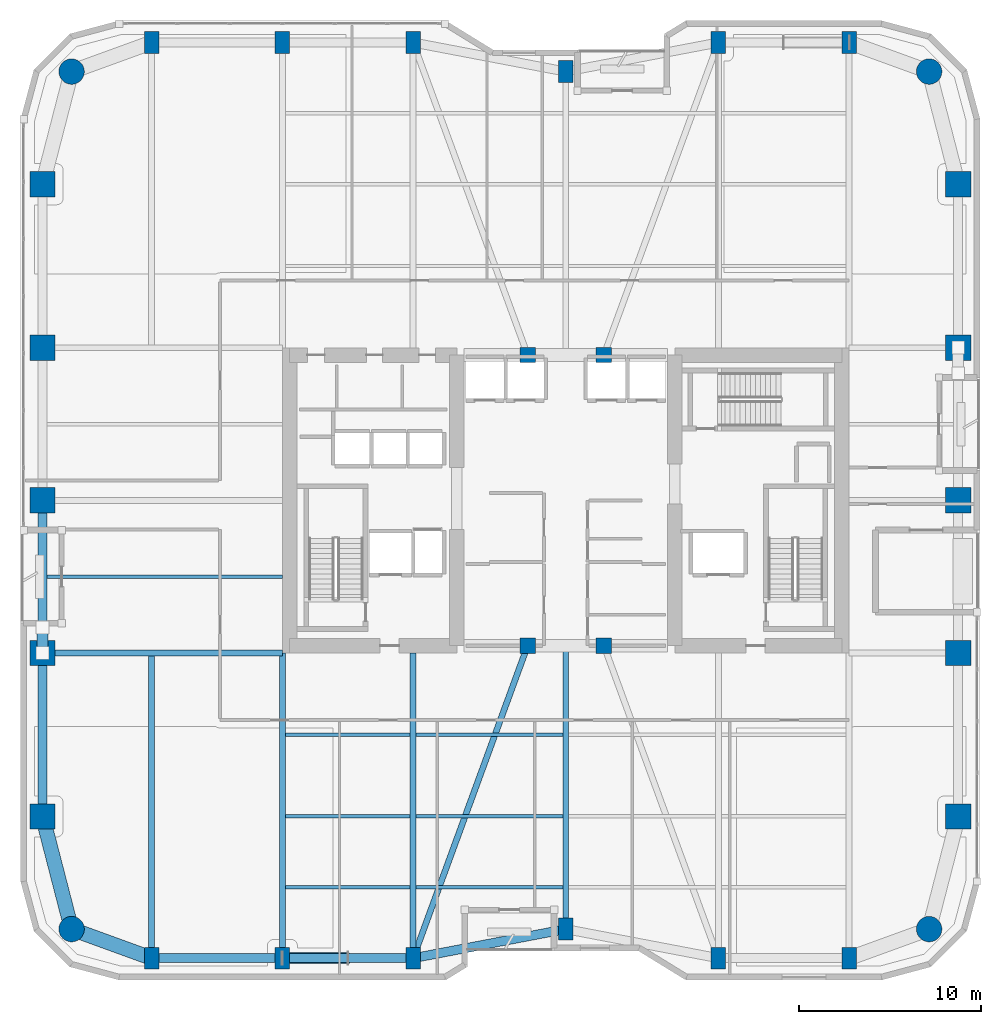
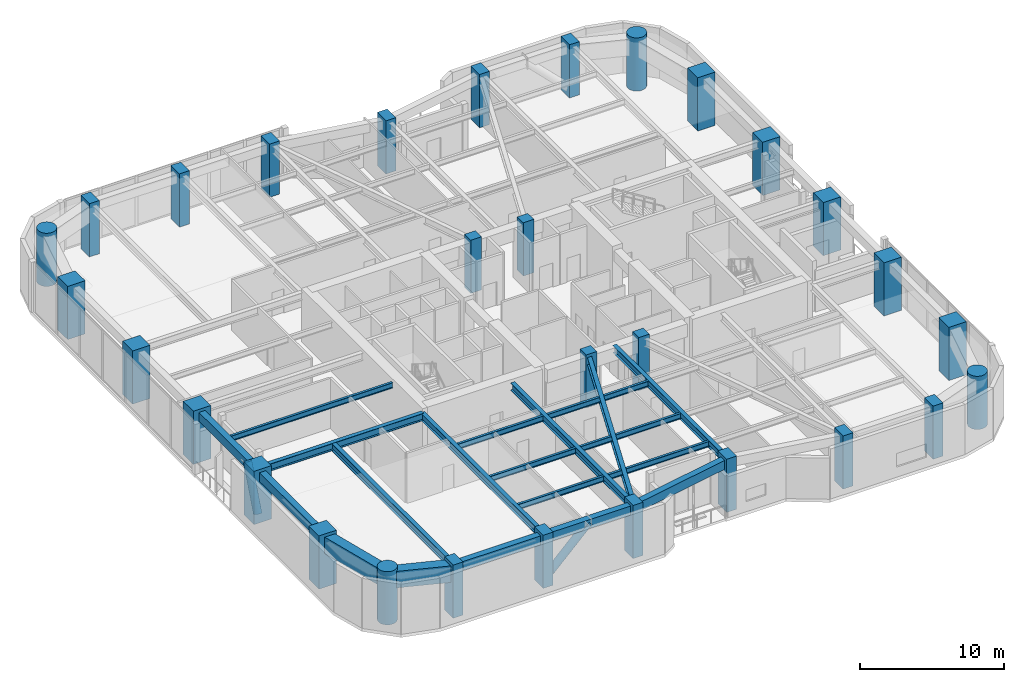
# One storey, part 1 of 20: 30 columns, 20 beams, 2 members.
"""IFC4 building model written with IfcOpenShell, lengths in metres."""

from ifc_helpers import new_model, si_unit, direction, frame, origin, origin_2d, place, context, subcontext, project, spatial, rectangle, circle, hollow_circle, i_section, extrude, material, material_profile, profile_set, type_object, element, save


model = new_model("IFC4")

# Units and contexts
model_context = context("Model", 3, precision=1e-05, world=origin(), true_north=direction((0.0, 1.0)))
body_context = subcontext(model_context, "Body", "Model", "MODEL_VIEW")
ifc_project = project(units=[si_unit("LENGTHUNIT", "METRE"), si_unit("AREAUNIT", "SQUARE_METRE"), si_unit("VOLUMEUNIT", "CUBIC_METRE"), si_unit("PLANEANGLEUNIT", "RADIAN"), si_unit("MASSUNIT", "GRAM", prefix="KILO")], contexts=[model_context])

# Site, building, storey
site_placement = place(None, origin())
site = spatial("IfcSite", under=ifc_project, at=site_placement, CompositionType="ELEMENT")
building_placement = place(site_placement, origin())
building = spatial("IfcBuilding", under=site, at=building_placement, Name="Kiyonajd Concourse Tower", CompositionType="ELEMENT")
storey_placement = place(building_placement, frame((0.0, 0.0, 125.39990234375)))
storey = spatial("IfcBuildingStorey", under=building, at=storey_placement, Name="L32", CompositionType="ELEMENT", Elevation=125.39990234375)

# Columns
ifc_material_1 = material(Name="Concrete C70/85", Category="concrete")
ifc_material_profile_1 = material_profile(ifc_material_1, rectangle(XDim=0.800048828125, YDim=1.199951171875, at=origin_2d()), Name="RC-1200x800")
ifc_profile_set_1 = profile_set([ifc_material_profile_1], Name="Concrete C70/85")
column_type_1 = type_object("IfcColumnType", Name="CL-BLADE-1200", PredefinedType="COLUMN", material=ifc_profile_set_1)
for number, where, z_axis, x_axis, name in (
    (1, (25.199951171875, 10.800048828125, 0.0), (0.0, 0.0, 1.0), (1.0, 0.0, 0.0), "L32 Perimeter Bundled Tube Column"),
    (2, (25.199951171875, 61.199951171875, 0.0), (0.0, 0.0, 1.0), (1.0, 0.0, 0.0), "L32 Perimeter Bundled Tube Column"),
    (3, (32.39990234375, 10.800048828125, 0.0), (0.0, 0.0, 1.0), (1.0, 0.0, 0.0), "L32 Perimeter Bundled Tube Column"),
    (4, (32.39990234375, 61.199951171875, 0.0), (0.0, 0.0, 1.0), (1.0, 0.0, 0.0), "L32 Perimeter Bundled Tube Column"),
    (5, (39.60009765625, 10.800048828125, 0.0), (0.0, 0.0, 1.0), (1.0, 0.0, 0.0), "L32 Perimeter Bundled Tube Column"),
    (6, (39.60009765625, 61.199951171875, 0.0), (0.0, 0.0, 1.0), (1.0, 0.0, 0.0), "L32 Perimeter Bundled Tube Column"),
    (7, (48.0, 12.39990234375, 0.0), (0.0, 0.0, 1.0), (1.0, 0.0, 0.0), "L32 Perimeter Bundled Tube Column"),
    (8, (48.0, 59.60009765625, 0.0), (0.0, 0.0, 1.0), (1.0, 0.0, 0.0), "L32 Perimeter Bundled Tube Column"),
    (9, (56.39990234375, 10.800048828125, 0.0), (0.0, 0.0, 1.0), (1.0, 0.0, 0.0), "L32 Perimeter Bundled Tube Column"),
    (10, (56.39990234375, 61.199951171875, 0.0), (0.0, 0.0, 1.0), (1.0, 0.0, 0.0), "L32 Perimeter Bundled Tube Column"),
    (11, (63.60009765625, 10.800048828125, 0.0), (0.0, 0.0, 1.0), (1.0, 0.0, 0.0), "L32 Perimeter Bundled Tube Column"),
    (12, (63.60009765625, 61.199951171875, 0.0), (0.0, 0.0, 1.0), (1.0, 0.0, 0.0), "L32 Perimeter Bundled Tube Column"),
):
    element("IfcColumn", number, at=place(storey_placement, frame(where, z_axis=z_axis, x_axis=x_axis)), inside=storey, type_object=column_type_1, Name=name, PredefinedType="COLUMN", context=body_context, shape_type="SweptSolid", body=[
        extrude(rectangle(XDim=0.800048828125, YDim=1.199951171875, at=origin_2d()), origin(), (0.0, 0.0, 1.0), 4.5),
    ])
ifc_material_2 = material(Name="Concrete C80/95", Category="concrete")
ifc_material_profile_2 = material_profile(ifc_material_2, circle(Radius=0.699951171875, at=origin_2d()), Name="RCC-D1400")
ifc_profile_set_2 = profile_set([ifc_material_profile_2], Name="Concrete C80/95")
column_type_2 = type_object("IfcColumnType", Name="CL-RND-1400", PredefinedType="COLUMN", material=ifc_profile_set_2)
for number, where, z_axis, x_axis, name in (
    (13, (20.800048828125, 12.39990234375, 0.0), (0.0, 0.0, 1.0), (1.0, 0.0, 0.0), "L32 Bundled Tube Corner Column South West"),
    (14, (68.0, 12.39990234375, 0.0), (0.0, 0.0, 1.0), (1.0, 0.0, 0.0), "L32 Bundled Tube Corner Column South East"),
    (15, (68.0, 59.60009765625, 0.0), (0.0, 0.0, 1.0), (1.0, 0.0, 0.0), "L32 Bundled Tube Corner Column North East"),
    (16, (20.800048828125, 59.60009765625, 0.0), (0.0, 0.0, 1.0), (1.0, 0.0, 0.0), "L32 Bundled Tube Corner Column North West"),
):
    element("IfcColumn", number, at=place(storey_placement, frame(where, z_axis=z_axis, x_axis=x_axis)), inside=storey, type_object=column_type_2, Name=name, PredefinedType="COLUMN", context=body_context, shape_type="SweptSolid", body=[
        extrude(circle(Radius=0.699951171875, at=origin_2d()), origin(), (0.0, 0.0, 1.0), 4.5),
    ])
ifc_material_profile_3 = material_profile(ifc_material_1, rectangle(XDim=1.39990234375, YDim=1.39990234375, at=origin_2d()), Name="RC-1400x1400")
ifc_profile_set_3 = profile_set([ifc_material_profile_3], Name="Concrete C70/85")
column_type_3 = type_object("IfcColumnType", Name="CL-TUBE-1400", PredefinedType="COLUMN", material=ifc_profile_set_3)
for number, where, z_axis, x_axis, name in (
    (17, (19.199951171875, 18.60009765625, 0.0), (0.0, 0.0, 1.0), (1.0, 0.0, 0.0), "L32 Perimeter Bundled Tube Column"),
    (18, (69.60009765625, 18.60009765625, 0.0), (0.0, 0.0, 1.0), (1.0, 0.0, 0.0), "L32 Perimeter Bundled Tube Column"),
    (19, (19.199951171875, 27.60009765625, 0.0), (0.0, 0.0, 1.0), (1.0, 0.0, 0.0), "L32 Perimeter Bundled Tube Column"),
    (20, (69.60009765625, 27.60009765625, 0.0), (0.0, 0.0, 1.0), (1.0, 0.0, 0.0), "L32 Perimeter Bundled Tube Column"),
    (21, (19.199951171875, 36.0, 0.0), (0.0, 0.0, 1.0), (1.0, 0.0, 0.0), "L32 Perimeter Bundled Tube Column"),
    (22, (69.60009765625, 36.0, 0.0), (0.0, 0.0, 1.0), (1.0, 0.0, 0.0), "L32 Perimeter Bundled Tube Column"),
    (23, (19.199951171875, 44.39990234375, 0.0), (0.0, 0.0, 1.0), (1.0, 0.0, 0.0), "L32 Perimeter Bundled Tube Column"),
    (24, (69.60009765625, 44.39990234375, 0.0), (0.0, 0.0, 1.0), (1.0, 0.0, 0.0), "L32 Perimeter Bundled Tube Column"),
    (25, (19.199951171875, 53.39990234375, 0.0), (0.0, 0.0, 1.0), (1.0, 0.0, 0.0), "L32 Perimeter Bundled Tube Column"),
    (26, (69.60009765625, 53.39990234375, 0.0), (0.0, 0.0, 1.0), (1.0, 0.0, 0.0), "L32 Perimeter Bundled Tube Column"),
):
    element("IfcColumn", number, at=place(storey_placement, frame(where, z_axis=z_axis, x_axis=x_axis)), inside=storey, type_object=column_type_3, Name=name, PredefinedType="COLUMN", context=body_context, shape_type="SweptSolid", body=[
        extrude(rectangle(XDim=1.39990234375, YDim=1.39990234375, at=origin_2d()), origin(), (0.0, 0.0, 1.0), 4.5),
    ])
ifc_material_3 = material(Name="Concrete C60/75", Category="concrete")
ifc_material_profile_4 = material_profile(ifc_material_3, rectangle(XDim=0.85009765625, YDim=0.85009765625, at=origin_2d()), Name="RC-850x850")
ifc_profile_set_4 = profile_set([ifc_material_profile_4], Name="Concrete C60/75")
column_type_4 = type_object("IfcColumnType", Name="CL-TUBE-850", PredefinedType="COLUMN", material=ifc_profile_set_4)
for number, where, z_axis, x_axis, name in (
    (27, (45.89990234375, 28.0, 0.0), (0.0, 0.0, 1.0), (1.0, 0.0, 0.0), "L32 Core Tie Column South West"),
    (28, (50.10009765625, 28.0, 0.0), (0.0, 0.0, 1.0), (1.0, 0.0, 0.0), "L32 Core Tie Column South East"),
    (29, (45.89990234375, 44.0, 0.0), (0.0, 0.0, 1.0), (1.0, 0.0, 0.0), "L32 Core Tie Column North West"),
    (30, (50.10009765625, 44.0, 0.0), (0.0, 0.0, 1.0), (1.0, 0.0, 0.0), "L32 Core Tie Column North East"),
):
    element("IfcColumn", number, at=place(storey_placement, frame(where, z_axis=z_axis, x_axis=x_axis)), inside=storey, type_object=column_type_4, Name=name, PredefinedType="COLUMN", context=body_context, shape_type="SweptSolid", body=[
        extrude(rectangle(XDim=0.85009765625, YDim=0.85009765625, at=origin_2d()), origin(), (0.0, 0.0, 1.0), 4.5),
    ])

# Beams
ifc_material_4 = material(Name="Steel ASTM A992 Grade 50", Category="steel")
ifc_material_profile_5 = material_profile(ifc_material_4, i_section(OverallWidth=0.19189453125, OverallDepth=0.462890625, WebThickness=0.010498046875, FlangeThickness=0.017578125, at=origin_2d()), Name="W460X89")
ifc_profile_set_5 = profile_set([ifc_material_profile_5], Name="Steel ASTM A992 Grade 50")
beam_type_1 = type_object("IfcBeamType", Name="BM-JST-460B", PredefinedType="JOIST", material=ifc_profile_set_5)
beam_1_placement = place(storey_placement, frame((32.5634765625, 14.699951171875, 4.008544921875), z_axis=(1.0, 0.0, 0.0), x_axis=(0.0, 1.0, 0.0)))
element("IfcBeam", 31, at=beam_1_placement, inside=storey, type_object=beam_type_1, Name="L32 Secondary Floor Joist", PredefinedType="JOIST", context=body_context, shape_type="SweptSolid", body=[
    extrude(i_section(OverallWidth=0.19189453125, OverallDepth=0.462890625, WebThickness=0.010498046875, FlangeThickness=0.017578125, at=origin_2d()), origin(), (0.0, 0.0, 1.0), 6.873046875),
])
beam_2_placement = place(storey_placement, frame((39.763427734375, 14.699951171875, 4.008544921875), z_axis=(1.0, 0.0, 0.0), x_axis=(0.0, 1.0, 0.0)))
element("IfcBeam", 32, at=beam_2_placement, inside=storey, type_object=beam_type_1, Name="L32 Secondary Floor Joist", PredefinedType="JOIST", context=body_context, shape_type="SweptSolid", body=[
    extrude(i_section(OverallWidth=0.19189453125, OverallDepth=0.462890625, WebThickness=0.010498046875, FlangeThickness=0.017578125, at=origin_2d()), origin(), (0.0, 0.0, 1.0), 8.072998046875),
])
beam_3_placement = place(storey_placement, frame((32.5634765625, 18.60009765625, 4.008544921875), z_axis=(1.0, 0.0, 0.0), x_axis=(0.0, 1.0, 0.0)))
element("IfcBeam", 33, at=beam_3_placement, inside=storey, type_object=beam_type_1, Name="L32 Secondary Floor Joist", PredefinedType="JOIST", context=body_context, shape_type="SweptSolid", body=[
    extrude(i_section(OverallWidth=0.19189453125, OverallDepth=0.462890625, WebThickness=0.010498046875, FlangeThickness=0.017578125, at=origin_2d()), origin(), (0.0, 0.0, 1.0), 6.873046875),
])
beam_4_placement = place(storey_placement, frame((39.763427734375, 18.60009765625, 4.008544921875), z_axis=(1.0, 0.0, 0.0), x_axis=(0.0, 1.0, 0.0)))
element("IfcBeam", 34, at=beam_4_placement, inside=storey, type_object=beam_type_1, Name="L32 Secondary Floor Joist", PredefinedType="JOIST", context=body_context, shape_type="SweptSolid", body=[
    extrude(i_section(OverallWidth=0.19189453125, OverallDepth=0.462890625, WebThickness=0.010498046875, FlangeThickness=0.017578125, at=origin_2d()), origin(), (0.0, 0.0, 1.0), 8.072998046875),
])
beam_5_placement = place(storey_placement, frame((32.5634765625, 23.10009765625, 4.008544921875), z_axis=(1.0, 0.0, 0.0), x_axis=(0.0, 1.0, 0.0)))
element("IfcBeam", 35, at=beam_5_placement, inside=storey, type_object=beam_type_1, Name="L32 Secondary Floor Joist", PredefinedType="JOIST", context=body_context, shape_type="SweptSolid", body=[
    extrude(i_section(OverallWidth=0.19189453125, OverallDepth=0.462890625, WebThickness=0.010498046875, FlangeThickness=0.017578125, at=origin_2d()), origin(), (0.0, 0.0, 1.0), 6.873046875),
])
beam_6_placement = place(storey_placement, frame((39.763427734375, 23.10009765625, 4.008544921875), z_axis=(1.0, 0.0, 0.0), x_axis=(0.0, 1.0, 0.0)))
element("IfcBeam", 36, at=beam_6_placement, inside=storey, type_object=beam_type_1, Name="L32 Secondary Floor Joist", PredefinedType="JOIST", context=body_context, shape_type="SweptSolid", body=[
    extrude(i_section(OverallWidth=0.19189453125, OverallDepth=0.462890625, WebThickness=0.010498046875, FlangeThickness=0.017578125, at=origin_2d()), origin(), (0.0, 0.0, 1.0), 8.072998046875),
])
beam_7_placement = place(storey_placement, frame((19.449951171875, 31.800048828125, 4.008544921875), z_axis=(1.0, 0.0, 0.0), x_axis=(0.0, 1.0, 0.0)))
element("IfcBeam", 37, at=beam_7_placement, inside=storey, type_object=beam_type_1, Name="L32 West Secondary Floor Joist", PredefinedType="JOIST", context=body_context, shape_type="SweptSolid", body=[
    extrude(i_section(OverallWidth=0.19189453125, OverallDepth=0.462890625, WebThickness=0.010498046875, FlangeThickness=0.017578125, at=origin_2d()), origin(), (0.0, 0.0, 1.0), 12.949951171875),
])
ifc_material_5 = material(Name="Precast concrete C50/60", Category="concrete")
ifc_material_profile_6 = material_profile(ifc_material_5, rectangle(XDim=0.5, YDim=0.75, at=origin_2d()), Name="RCBM-500x750")
ifc_profile_set_6 = profile_set([ifc_material_profile_6], Name="Precast concrete C50/60")
beam_type_2 = type_object("IfcBeamType", Name="BM-SPAN-RC", PredefinedType="SPANDREL", material=ifc_profile_set_6)
beam_8_placement = place(storey_placement, frame((19.199951171875, 27.60009765625, 3.864990234375), z_axis=(0.0, -1.0, 0.0), x_axis=(1.0, 0.0, 0.0)))
element("IfcBeam", 38, at=beam_8_placement, inside=storey, type_object=beam_type_2, Name="L32 Perimeter Bundled Tube Spandrel", PredefinedType="SPANDREL", context=body_context, shape_type="SweptSolid", body=[
    extrude(rectangle(XDim=0.5, YDim=0.75, at=origin_2d()), origin(), (0.0, 0.0, 1.0), 9.0),
])
beam_9_placement = place(storey_placement, frame((25.199951171875, 10.800048828125, 3.864990234375), z_axis=(1.0, 0.0, 0.0), x_axis=(0.0, 1.0, 0.0)))
element("IfcBeam", 39, at=beam_9_placement, inside=storey, type_object=beam_type_2, Name="L32 Perimeter Bundled Tube Spandrel", PredefinedType="SPANDREL", context=body_context, shape_type="SweptSolid", body=[
    extrude(rectangle(XDim=0.5, YDim=0.75, at=origin_2d()), origin(), (0.0, 0.0, 1.0), 7.199951171875),
])
beam_10_placement = place(storey_placement, frame((32.39990234375, 10.800048828125, 3.864990234375), z_axis=(1.0, 0.0, 0.0), x_axis=(0.0, 1.0, 0.0)))
element("IfcBeam", 40, at=beam_10_placement, inside=storey, type_object=beam_type_2, Name="L32 Perimeter Bundled Tube Spandrel", PredefinedType="SPANDREL", context=body_context, shape_type="SweptSolid", body=[
    extrude(rectangle(XDim=0.5, YDim=0.75, at=origin_2d()), origin(), (0.0, 0.0, 1.0), 7.2001953125),
])
beam_11_placement = place(storey_placement, frame((39.60009765625, 10.800048828125, 3.864990234375), z_axis=(0.982341315253, 0.187097675953, 0.0), x_axis=(-0.187097675953, 0.982341315253, 0.0)))
element("IfcBeam", 41, at=beam_11_placement, inside=storey, type_object=beam_type_2, Name="L32 Perimeter Bundled Tube Spandrel", PredefinedType="SPANDREL", context=body_context, shape_type="SweptSolid", body=[
    extrude(rectangle(XDim=0.5, YDim=0.75, at=origin_2d()), origin(), (0.0, 0.0, 1.0), 8.55078125),
])
beam_12_placement = place(storey_placement, frame((19.199951171875, 36.0, 3.864990234375), z_axis=(0.0, -1.0, 0.0), x_axis=(1.0, 0.0, 0.0)))
element("IfcBeam", 42, at=beam_12_placement, inside=storey, type_object=beam_type_2, Name="L32 Perimeter Bundled Tube Spandrel", PredefinedType="SPANDREL", context=body_context, shape_type="SweptSolid", body=[
    extrude(rectangle(XDim=0.5, YDim=0.75, at=origin_2d()), origin(), (0.0, 0.0, 1.0), 8.39990234375),
])
ifc_material_profile_7 = material_profile(ifc_material_4, i_section(OverallWidth=0.326904296875, OverallDepth=0.6220703125, WebThickness=0.015380859375, FlangeThickness=0.0244140625, at=origin_2d()), Name="W610X195")
ifc_profile_set_7 = profile_set([ifc_material_profile_7], Name="Steel ASTM A992 Grade 50")
beam_type_3 = type_object("IfcBeamType", Name="BM-TWR-610A", PredefinedType="BEAM", material=ifc_profile_set_7)
beam_13_placement = place(storey_placement, frame((39.60009765625, 10.800048828125, 3.92919921875), z_axis=(0.343925269715, 0.938997022813, 0.0), x_axis=(-0.938997022813, 0.343925269715, 0.0)))
element("IfcBeam", 43, at=beam_13_placement, inside=storey, type_object=beam_type_3, Name="L32 Core Tie Girder", PredefinedType="BEAM", context=body_context, shape_type="SweptSolid", body=[
    extrude(i_section(OverallWidth=0.326904296875, OverallDepth=0.6220703125, WebThickness=0.015380859375, FlangeThickness=0.0244140625, at=origin_2d()), origin(), (0.0, 0.0, 1.0), 18.3173828125),
])
for number, where, z_axis, x_axis, name in (
    (44, (25.199951171875, 10.800048828125, 3.92919921875), (0.0, 1.0, 0.0), (-1.0, 0.0, 0.0), "L32 South Lease Girder"),
    (45, (32.39990234375, 10.800048828125, 3.92919921875), (0.0, 1.0, 0.0), (-1.0, 0.0, 0.0), "L32 South Lease Girder"),
    (46, (39.60009765625, 10.800048828125, 3.92919921875), (0.0, 1.0, 0.0), (-1.0, 0.0, 0.0), "L32 South Lease Girder"),
):
    element("IfcBeam", number, at=place(storey_placement, frame(where, z_axis=z_axis, x_axis=x_axis)), inside=storey, type_object=beam_type_3, Name=name, PredefinedType="BEAM", context=body_context, shape_type="SweptSolid", body=[
        extrude(i_section(OverallWidth=0.326904296875, OverallDepth=0.6220703125, WebThickness=0.015380859375, FlangeThickness=0.0244140625, at=origin_2d()), origin(), (0.0, 0.0, 1.0), 16.800048828125),
    ])
beam_14_placement = place(storey_placement, frame((48.0, 12.39990234375, 3.92919921875), z_axis=(0.0, 1.0, 0.0), x_axis=(-1.0, 0.0, 0.0)))
element("IfcBeam", 47, at=beam_14_placement, inside=storey, type_object=beam_type_3, Name="L32 South Ribbon Girder", PredefinedType="BEAM", context=body_context, shape_type="SweptSolid", body=[
    extrude(i_section(OverallWidth=0.326904296875, OverallDepth=0.6220703125, WebThickness=0.015380859375, FlangeThickness=0.0244140625, at=origin_2d()), origin(), (0.0, 0.0, 1.0), 15.60009765625),
])
beam_15_placement = place(storey_placement, frame((19.199951171875, 27.60009765625, 3.92919921875), z_axis=(1.0, 0.0, 0.0), x_axis=(0.0, 1.0, 0.0)))
element("IfcBeam", 48, at=beam_15_placement, inside=storey, type_object=beam_type_3, Name="L32 West Lease Girder", PredefinedType="BEAM", context=body_context, shape_type="SweptSolid", body=[
    extrude(i_section(OverallWidth=0.326904296875, OverallDepth=0.6220703125, WebThickness=0.015380859375, FlangeThickness=0.0244140625, at=origin_2d()), origin(), (0.0, 0.0, 1.0), 13.199951171875),
])
ifc_material_profile_8 = material_profile(ifc_material_3, rectangle(XDim=0.800048828125, YDim=1.39990234375, at=origin_2d()), Name="RCBM-800x1400")
ifc_profile_set_8 = profile_set([ifc_material_profile_8], Name="Concrete C60/75")
beam_type_4 = type_object("IfcBeamType", Name="BM-XFER-RC", PredefinedType="BEAM", material=ifc_profile_set_8)
beam_16_placement = place(storey_placement, frame((19.199951171875, 18.60009765625, 3.5400390625), z_axis=(0.249884937687, -0.968275538221, 0.0), x_axis=(0.968275538221, 0.249884937687, 0.0)))
element("IfcBeam", 49, at=beam_16_placement, inside=storey, type_object=beam_type_4, Name="L32 Perimeter Bundled Tube Spandrel", PredefinedType="BEAM", context=body_context, shape_type="SweptSolid", body=[
    extrude(rectangle(XDim=0.800048828125, YDim=1.39990234375, at=origin_2d()), origin(), (0.0, 0.0, 1.0), 6.4033203125),
])
beam_17_placement = place(storey_placement, frame((20.800048828125, 12.39990234375, 3.5400390625), z_axis=(0.939801036019, -0.341722127901, 0.0), x_axis=(0.341722127901, 0.939801036019, 0.0)))
element("IfcBeam", 50, at=beam_17_placement, inside=storey, type_object=beam_type_4, Name="L32 Perimeter Bundled Tube Spandrel", PredefinedType="BEAM", context=body_context, shape_type="SweptSolid", body=[
    extrude(rectangle(XDim=0.800048828125, YDim=1.39990234375, at=origin_2d()), origin(), (0.0, 0.0, 1.0), 4.681640625),
])

# Members
ifc_material_6 = material(Name="Steel ASTM A572 Grade 50", Category="steel")
ifc_material_profile_9 = material_profile(ifc_material_6, hollow_circle(Radius=0.304931640625, WallThickness=0.02490234375, at=origin_2d()), Name="CHS-610x25")
ifc_profile_set_9 = profile_set([ifc_material_profile_9], Name="Steel ASTM A572 Grade 50")
member_type = type_object("IfcMemberType", Name="MB-PB-LOW", PredefinedType="BRACE", material=ifc_profile_set_9)
member_1_placement = place(storey_placement, frame((32.39990234375, 10.800048828125, 0.300048828125), z_axis=(0.708090488697, 0.0, 0.706121703261), x_axis=(0.0, 1.0, 0.0)))
element("IfcMember", 51, at=member_1_placement, inside=storey, type_object=member_type, Name="L32 Lower Zone Welded Tube Brace PBS", PredefinedType="BRACE", context=body_context, shape_type="SweptSolid", body=[
    extrude(hollow_circle(Radius=0.304931640625, WallThickness=0.02490234375, at=origin_2d()), origin(), (0.0, 0.0, 1.0), 5.084228515625),
])
member_2_placement = place(storey_placement, frame((19.199951171875, 27.60009765625, 0.300048828125), z_axis=(0.0, 0.363293032355, 0.931674928633), x_axis=(-1.0, 0.0, 0.0)))
element("IfcMember", 52, at=member_2_placement, inside=storey, type_object=member_type, Name="L32 Lower Zone Welded Tube Brace PBW", PredefinedType="BRACE", context=body_context, shape_type="SweptSolid", body=[
    extrude(hollow_circle(Radius=0.304931640625, WallThickness=0.02490234375, at=origin_2d()), origin(), (0.0, 0.0, 1.0), 3.853271484375),
])

save(model, "model.ifc")
